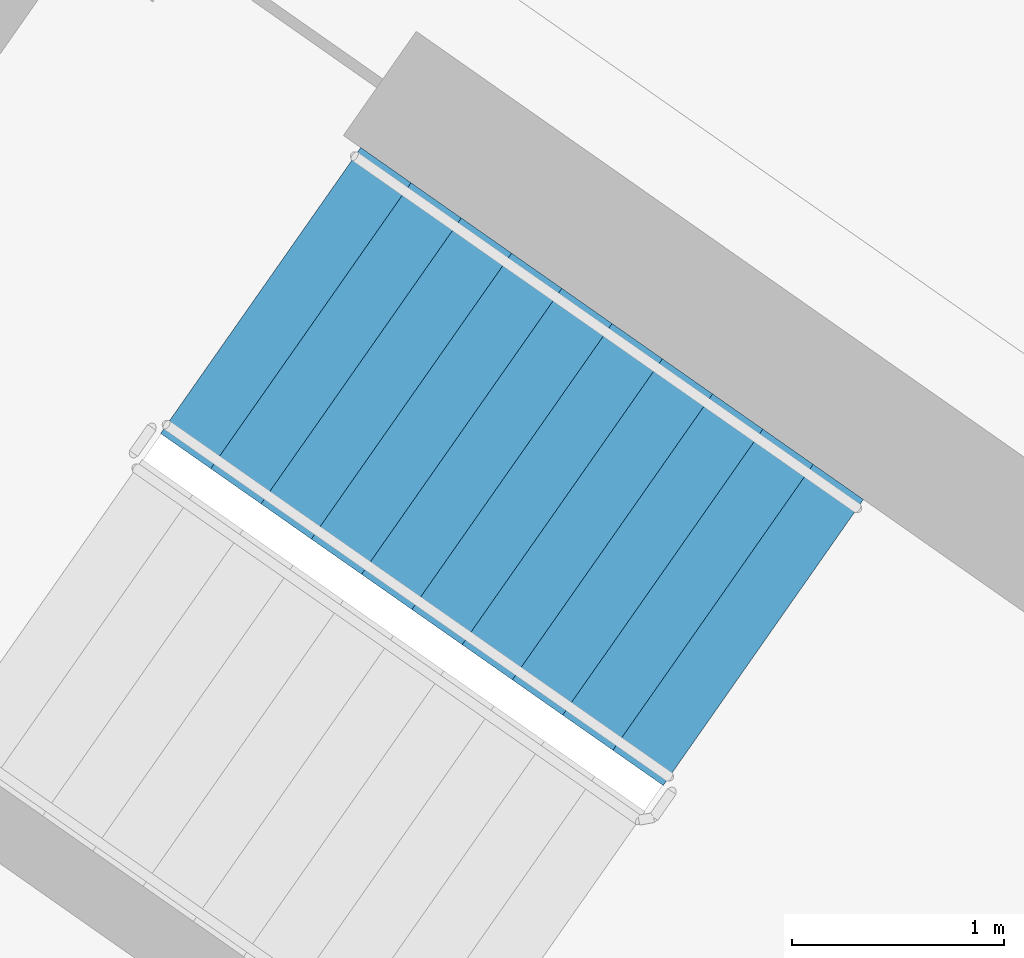
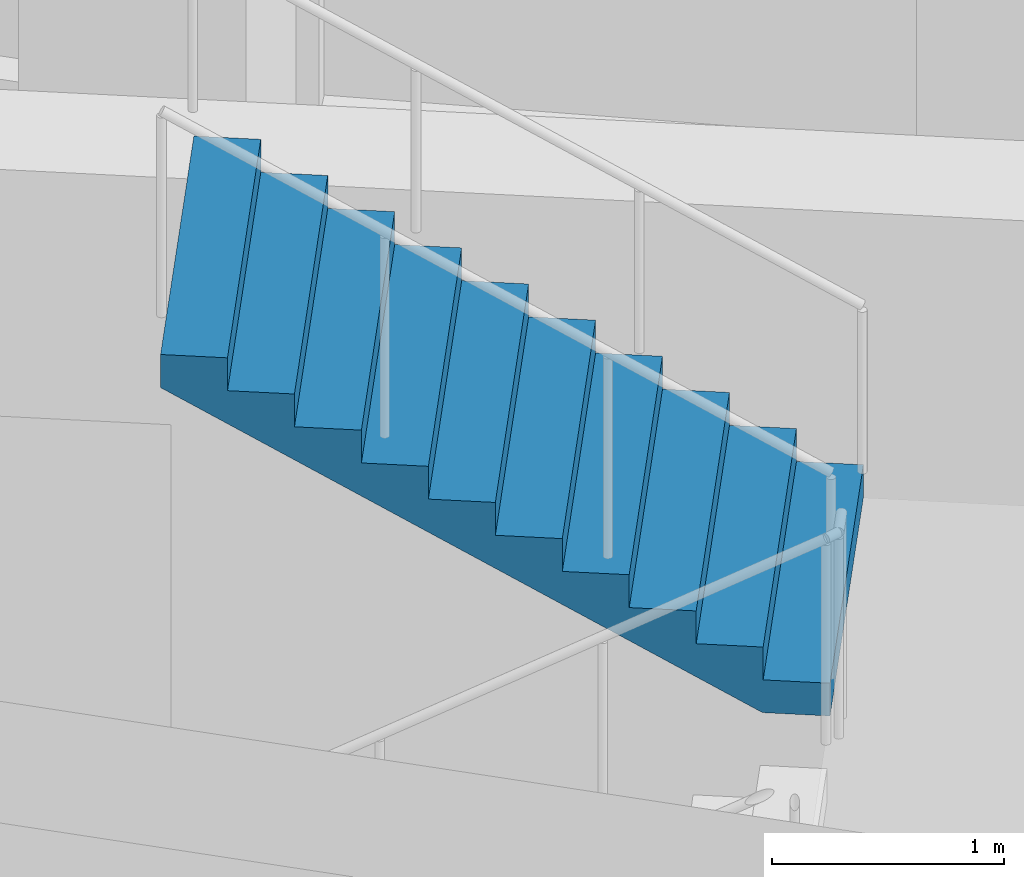
# One storey, part 12 of 28: 1 stair flight, 1 element without a shape of its own.
"""IFC4 building model written with IfcOpenShell, lengths in metres."""

from ifc_helpers import new_model, si_unit, direction, frame, origin, place, context, subcontext, project, spatial, faceted_brep, material, type_object, element, aggregate, save


model = new_model("IFC4")

# Units and contexts
model_context = context("Model", 3, precision=1e-05, world=origin(), true_north=direction((0.0, 1.0)))
body_context = subcontext(model_context, "Body", "Model", "MODEL_VIEW")
ifc_project = project(units=[si_unit("LENGTHUNIT", "METRE"), si_unit("AREAUNIT", "SQUARE_METRE"), si_unit("VOLUMEUNIT", "CUBIC_METRE"), si_unit("PLANEANGLEUNIT", "RADIAN"), si_unit("MASSUNIT", "GRAM", prefix="KILO")], contexts=[model_context])

# Site, building, storey
site_placement = place(None, origin())
site = spatial("IfcSite", under=ifc_project, at=site_placement, CompositionType="ELEMENT")
building_placement = place(site_placement, origin())
building = spatial("IfcBuilding", under=site, at=building_placement, Name="Qamariyya Broadcast Tower", CompositionType="ELEMENT")
storey_placement = place(building_placement, frame((0.0, 0.0, 249.300048828125)))
storey = spatial("IfcBuildingStorey", under=building, at=storey_placement, Name="L60", CompositionType="ELEMENT", Elevation=249.300048828125)

# Stair, stair flight
ifc_material = material(Name="Concrete C50/60", Category="concrete")
stair_type = type_object("IfcStairType", Name="Exit stair 22 risers of 173 mm", PredefinedType="HALF_TURN_STAIR", material=ifc_material)
stair_placement = place(storey_placement, origin())
stair = element("IfcStair", 1, at=stair_placement, inside=storey, type_object=stair_type, Name="L60 Stair W2", PredefinedType="HALF_TURN_STAIR")
stair_flight_type = type_object("IfcStairFlightType", Name="Exit stair flight 11 risers of 173 mm", PredefinedType="STRAIGHT", material=ifc_material)
stair_flight_placement = place(storey_placement, frame((-38.18310546875, -49.3486328125, 1.89990234375), z_axis=(0.0, 0.0, 1.0), x_axis=(-0.819152044289, 0.573576436351, 0.0)))
stair_flight = element("IfcStairFlight", 2, at=stair_flight_placement, type_object=stair_flight_type, Name="ST-W2 flight 2", NumberOfRisers=11, NumberOfTreads=10, PredefinedType="STRAIGHT", RiserHeight=0.172727273, TreadLength=0.29, context=body_context, shape_type="Brep", body=[
    faceted_brep([(0.0, 0.824951171875, 0.0), (0.0, 0.824951171875, 0.172607421875), (0.2900390625, 0.824951171875, 0.172607421875), (0.2900390625, 0.824951171875, 0.345458984375), (0.580078125, 0.824951171875, 0.345458984375), (0.580078125, 0.824951171875, 0.51806640625), (0.8701171875, 0.824951171875, 0.51806640625), (0.8701171875, 0.824951171875, 0.69091796875), (1.159912109375, 0.824951171875, 0.69091796875), (1.159912109375, 0.824951171875, 0.863525390625), (1.449951171875, 0.824951171875, 0.863525390625), (1.449951171875, 0.824951171875, 1.036376953125), (1.739990234375, 0.824951171875, 1.036376953125), (1.739990234375, 0.824951171875, 1.208984375), (2.030029296875, 0.824951171875, 1.208984375), (2.030029296875, 0.824951171875, 1.3818359375), (2.320068359375, 0.824951171875, 1.3818359375), (2.320068359375, 0.824951171875, 1.554443359375), (2.610107421875, 0.824951171875, 1.554443359375), (2.610107421875, 0.824951171875, 1.727294921875), (2.89990234375, 0.824951171875, 1.727294921875), (2.89990234375, 0.824951171875, 1.552734375), (0.29296875, 0.824951171875, 0.0), (0.29296875, -0.824951171875, 0.0), (2.89990234375, -0.824951171875, 1.552734375), (2.89990234375, -0.824951171875, 1.727294921875), (2.610107421875, -0.824951171875, 1.727294921875), (2.610107421875, -0.824951171875, 1.554443359375), (2.320068359375, -0.824951171875, 1.554443359375), (2.320068359375, -0.824951171875, 1.3818359375), (2.030029296875, -0.824951171875, 1.3818359375), (2.030029296875, -0.824951171875, 1.208984375), (1.739990234375, -0.824951171875, 1.208984375), (1.739990234375, -0.824951171875, 1.036376953125), (1.449951171875, -0.824951171875, 1.036376953125), (1.449951171875, -0.824951171875, 0.863525390625), (1.159912109375, -0.824951171875, 0.863525390625), (1.159912109375, -0.824951171875, 0.69091796875), (0.8701171875, -0.824951171875, 0.69091796875), (0.8701171875, -0.824951171875, 0.51806640625), (0.580078125, -0.824951171875, 0.51806640625), (0.580078125, -0.824951171875, 0.345458984375), (0.2900390625, -0.824951171875, 0.345458984375), (0.2900390625, -0.824951171875, 0.172607421875), (0.0, -0.824951171875, 0.172607421875), (0.0, -0.824951171875, 0.0), (0.0, 0.10009765625, 0.0), (0.0, 0.086669921875, 0.0), (0.0, 0.0732421875, 0.0), (0.0, 0.06005859375, 0.0), (0.0, 0.046630859375, 0.0), (0.0, 0.033447265625, 0.0), (0.0, 0.02001953125, 0.0), (0.0, 0.006591796875, 0.0), (0.0, -0.006591796875, 0.0), (0.0, -0.02001953125, 0.0), (0.0, -0.033447265625, 0.0), (0.0, -0.046630859375, 0.0), (0.0, -0.06005859375, 0.0), (0.0, -0.0732421875, 0.0), (0.0, -0.086669921875, 0.0), (0.0, -0.10009765625, 0.0), (0.0, -0.10009765625, 0.172607421875), (0.0, -0.086669921875, 0.172607421875), (0.0, -0.0732421875, 0.172607421875), (0.0, -0.06005859375, 0.172607421875), (0.0, -0.046630859375, 0.172607421875), (0.0, -0.033447265625, 0.172607421875), (0.0, -0.02001953125, 0.172607421875), (0.0, -0.006591796875, 0.172607421875), (0.0, 0.006591796875, 0.172607421875), (0.0, 0.02001953125, 0.172607421875), (0.0, 0.033447265625, 0.172607421875), (0.0, 0.046630859375, 0.172607421875), (0.0, 0.06005859375, 0.172607421875), (0.0, 0.0732421875, 0.172607421875), (0.0, 0.086669921875, 0.172607421875), (0.0, 0.10009765625, 0.172607421875), (0.2900390625, -0.10009765625, 0.172607421875), (0.2900390625, -0.086669921875, 0.172607421875), (0.2900390625, -0.0732421875, 0.172607421875), (0.2900390625, -0.06005859375, 0.172607421875), (0.2900390625, -0.046630859375, 0.172607421875), (0.2900390625, -0.033447265625, 0.172607421875), (0.2900390625, -0.02001953125, 0.172607421875), (0.2900390625, -0.006591796875, 0.172607421875), (0.2900390625, 0.006591796875, 0.172607421875), (0.2900390625, 0.02001953125, 0.172607421875), (0.2900390625, 0.033447265625, 0.172607421875), (0.2900390625, 0.046630859375, 0.172607421875), (0.2900390625, 0.06005859375, 0.172607421875), (0.2900390625, 0.0732421875, 0.172607421875), (0.2900390625, 0.086669921875, 0.172607421875), (0.2900390625, 0.10009765625, 0.172607421875), (0.2900390625, -0.10009765625, 0.345458984375), (0.2900390625, -0.086669921875, 0.345458984375), (0.2900390625, -0.0732421875, 0.345458984375), (0.2900390625, -0.06005859375, 0.345458984375), (0.2900390625, -0.046630859375, 0.345458984375), (0.2900390625, -0.033447265625, 0.345458984375), (0.2900390625, -0.02001953125, 0.345458984375), (0.2900390625, -0.006591796875, 0.345458984375), (0.2900390625, 0.006591796875, 0.345458984375), (0.2900390625, 0.02001953125, 0.345458984375), (0.2900390625, 0.033447265625, 0.345458984375), (0.2900390625, 0.046630859375, 0.345458984375), (0.2900390625, 0.06005859375, 0.345458984375), (0.2900390625, 0.0732421875, 0.345458984375), (0.2900390625, 0.086669921875, 0.345458984375), (0.2900390625, 0.10009765625, 0.345458984375), (0.580078125, -0.10009765625, 0.345458984375), (0.580078125, -0.086669921875, 0.345458984375), (0.580078125, -0.0732421875, 0.345458984375), (0.580078125, -0.06005859375, 0.345458984375), (0.580078125, -0.046630859375, 0.345458984375), (0.580078125, -0.033447265625, 0.345458984375), (0.580078125, -0.02001953125, 0.345458984375), (0.580078125, -0.006591796875, 0.345458984375), (0.580078125, 0.006591796875, 0.345458984375), (0.580078125, 0.02001953125, 0.345458984375), (0.580078125, 0.033447265625, 0.345458984375), (0.580078125, 0.046630859375, 0.345458984375), (0.580078125, 0.06005859375, 0.345458984375), (0.580078125, 0.0732421875, 0.345458984375), (0.580078125, 0.086669921875, 0.345458984375), (0.580078125, 0.10009765625, 0.345458984375), (0.580078125, -0.10009765625, 0.51806640625), (0.580078125, -0.086669921875, 0.51806640625), (0.580078125, -0.0732421875, 0.51806640625), (0.580078125, -0.06005859375, 0.51806640625), (0.580078125, -0.046630859375, 0.51806640625), (0.580078125, -0.033447265625, 0.51806640625), (0.580078125, -0.02001953125, 0.51806640625), (0.580078125, -0.006591796875, 0.51806640625), (0.580078125, 0.006591796875, 0.51806640625), (0.580078125, 0.02001953125, 0.51806640625), (0.580078125, 0.033447265625, 0.51806640625), (0.580078125, 0.046630859375, 0.51806640625), (0.580078125, 0.06005859375, 0.51806640625), (0.580078125, 0.0732421875, 0.51806640625), (0.580078125, 0.086669921875, 0.51806640625), (0.580078125, 0.10009765625, 0.51806640625), (0.8701171875, -0.10009765625, 0.51806640625), (0.8701171875, -0.086669921875, 0.51806640625), (0.8701171875, -0.0732421875, 0.51806640625), (0.8701171875, -0.06005859375, 0.51806640625), (0.8701171875, -0.046630859375, 0.51806640625), (0.8701171875, -0.033447265625, 0.51806640625), (0.8701171875, -0.02001953125, 0.51806640625), (0.8701171875, -0.006591796875, 0.51806640625), (0.8701171875, 0.006591796875, 0.51806640625), (0.8701171875, 0.02001953125, 0.51806640625), (0.8701171875, 0.033447265625, 0.51806640625), (0.8701171875, 0.046630859375, 0.51806640625), (0.8701171875, 0.06005859375, 0.51806640625), (0.8701171875, 0.0732421875, 0.51806640625), (0.8701171875, 0.086669921875, 0.51806640625), (0.8701171875, 0.10009765625, 0.51806640625), (0.8701171875, -0.10009765625, 0.69091796875), (0.8701171875, -0.086669921875, 0.69091796875), (0.8701171875, -0.0732421875, 0.69091796875), (0.8701171875, -0.06005859375, 0.69091796875), (0.8701171875, -0.046630859375, 0.69091796875), (0.8701171875, -0.033447265625, 0.69091796875), (0.8701171875, -0.02001953125, 0.69091796875), (0.8701171875, -0.006591796875, 0.69091796875), (0.8701171875, 0.006591796875, 0.69091796875), (0.8701171875, 0.02001953125, 0.69091796875), (0.8701171875, 0.033447265625, 0.69091796875), (0.8701171875, 0.046630859375, 0.69091796875), (0.8701171875, 0.06005859375, 0.69091796875), (0.8701171875, 0.0732421875, 0.69091796875), (0.8701171875, 0.086669921875, 0.69091796875), (0.8701171875, 0.10009765625, 0.69091796875), (1.159912109375, -0.10009765625, 0.69091796875), (1.159912109375, -0.086669921875, 0.69091796875), (1.159912109375, -0.0732421875, 0.69091796875), (1.159912109375, -0.06005859375, 0.69091796875), (1.159912109375, -0.046630859375, 0.69091796875), (1.159912109375, -0.033447265625, 0.69091796875), (1.159912109375, -0.02001953125, 0.69091796875), (1.159912109375, -0.006591796875, 0.69091796875), (1.159912109375, 0.006591796875, 0.69091796875), (1.159912109375, 0.02001953125, 0.69091796875), (1.159912109375, 0.033447265625, 0.69091796875), (1.159912109375, 0.046630859375, 0.69091796875), (1.159912109375, 0.06005859375, 0.69091796875), (1.159912109375, 0.0732421875, 0.69091796875), (1.159912109375, 0.086669921875, 0.69091796875), (1.159912109375, 0.10009765625, 0.69091796875), (1.159912109375, -0.10009765625, 0.863525390625), (1.159912109375, -0.086669921875, 0.863525390625), (1.159912109375, -0.0732421875, 0.863525390625), (1.159912109375, -0.06005859375, 0.863525390625), (1.159912109375, -0.046630859375, 0.863525390625), (1.159912109375, -0.033447265625, 0.863525390625), (1.159912109375, -0.02001953125, 0.863525390625), (1.159912109375, -0.006591796875, 0.863525390625), (1.159912109375, 0.006591796875, 0.863525390625), (1.159912109375, 0.02001953125, 0.863525390625), (1.159912109375, 0.033447265625, 0.863525390625), (1.159912109375, 0.046630859375, 0.863525390625), (1.159912109375, 0.06005859375, 0.863525390625), (1.159912109375, 0.0732421875, 0.863525390625), (1.159912109375, 0.086669921875, 0.863525390625), (1.159912109375, 0.10009765625, 0.863525390625), (1.449951171875, -0.10009765625, 0.863525390625), (1.449951171875, -0.086669921875, 0.863525390625), (1.449951171875, -0.0732421875, 0.863525390625), (1.449951171875, -0.06005859375, 0.863525390625), (1.449951171875, -0.046630859375, 0.863525390625), (1.449951171875, -0.033447265625, 0.863525390625), (1.449951171875, -0.02001953125, 0.863525390625), (1.449951171875, -0.006591796875, 0.863525390625), (1.449951171875, 0.006591796875, 0.863525390625), (1.449951171875, 0.02001953125, 0.863525390625), (1.449951171875, 0.033447265625, 0.863525390625), (1.449951171875, 0.046630859375, 0.863525390625), (1.449951171875, 0.06005859375, 0.863525390625), (1.449951171875, 0.0732421875, 0.863525390625), (1.449951171875, 0.086669921875, 0.863525390625), (1.449951171875, 0.10009765625, 0.863525390625), (1.449951171875, -0.10009765625, 1.036376953125), (1.449951171875, -0.086669921875, 1.036376953125), (1.449951171875, -0.0732421875, 1.036376953125), (1.449951171875, -0.06005859375, 1.036376953125), (1.449951171875, -0.046630859375, 1.036376953125), (1.449951171875, -0.033447265625, 1.036376953125), (1.449951171875, -0.02001953125, 1.036376953125), (1.449951171875, -0.006591796875, 1.036376953125), (1.449951171875, 0.006591796875, 1.036376953125), (1.449951171875, 0.02001953125, 1.036376953125), (1.449951171875, 0.033447265625, 1.036376953125), (1.449951171875, 0.046630859375, 1.036376953125), (1.449951171875, 0.06005859375, 1.036376953125), (1.449951171875, 0.0732421875, 1.036376953125), (1.449951171875, 0.086669921875, 1.036376953125), (1.449951171875, 0.10009765625, 1.036376953125), (1.739990234375, -0.10009765625, 1.036376953125), (1.739990234375, -0.086669921875, 1.036376953125), (1.739990234375, -0.0732421875, 1.036376953125), (1.739990234375, -0.06005859375, 1.036376953125), (1.739990234375, -0.046630859375, 1.036376953125), (1.739990234375, -0.033447265625, 1.036376953125), (1.739990234375, -0.02001953125, 1.036376953125), (1.739990234375, -0.006591796875, 1.036376953125), (1.739990234375, 0.006591796875, 1.036376953125), (1.739990234375, 0.02001953125, 1.036376953125), (1.739990234375, 0.033447265625, 1.036376953125), (1.739990234375, 0.046630859375, 1.036376953125), (1.739990234375, 0.06005859375, 1.036376953125), (1.739990234375, 0.0732421875, 1.036376953125), (1.739990234375, 0.086669921875, 1.036376953125), (1.739990234375, 0.10009765625, 1.036376953125), (1.739990234375, -0.10009765625, 1.208984375), (1.739990234375, -0.086669921875, 1.208984375), (1.739990234375, -0.0732421875, 1.208984375), (1.739990234375, -0.06005859375, 1.208984375), (1.739990234375, -0.046630859375, 1.208984375), (1.739990234375, -0.033447265625, 1.208984375), (1.739990234375, -0.02001953125, 1.208984375), (1.739990234375, -0.006591796875, 1.208984375), (1.739990234375, 0.006591796875, 1.208984375), (1.739990234375, 0.02001953125, 1.208984375), (1.739990234375, 0.033447265625, 1.208984375), (1.739990234375, 0.046630859375, 1.208984375), (1.739990234375, 0.06005859375, 1.208984375), (1.739990234375, 0.0732421875, 1.208984375), (1.739990234375, 0.086669921875, 1.208984375), (1.739990234375, 0.10009765625, 1.208984375), (2.030029296875, -0.10009765625, 1.208984375), (2.030029296875, -0.086669921875, 1.208984375), (2.030029296875, -0.0732421875, 1.208984375), (2.030029296875, -0.06005859375, 1.208984375), (2.030029296875, -0.046630859375, 1.208984375), (2.030029296875, -0.033447265625, 1.208984375), (2.030029296875, -0.02001953125, 1.208984375), (2.030029296875, -0.006591796875, 1.208984375), (2.030029296875, 0.006591796875, 1.208984375), (2.030029296875, 0.02001953125, 1.208984375), (2.030029296875, 0.033447265625, 1.208984375), (2.030029296875, 0.046630859375, 1.208984375), (2.030029296875, 0.06005859375, 1.208984375), (2.030029296875, 0.0732421875, 1.208984375), (2.030029296875, 0.086669921875, 1.208984375), (2.030029296875, 0.10009765625, 1.208984375), (2.030029296875, -0.10009765625, 1.3818359375), (2.030029296875, -0.086669921875, 1.3818359375), (2.030029296875, -0.0732421875, 1.3818359375), (2.030029296875, -0.06005859375, 1.3818359375), (2.030029296875, -0.046630859375, 1.3818359375), (2.030029296875, -0.033447265625, 1.3818359375), (2.030029296875, -0.02001953125, 1.3818359375), (2.030029296875, -0.006591796875, 1.3818359375), (2.030029296875, 0.006591796875, 1.3818359375), (2.030029296875, 0.02001953125, 1.3818359375), (2.030029296875, 0.033447265625, 1.3818359375), (2.030029296875, 0.046630859375, 1.3818359375), (2.030029296875, 0.06005859375, 1.3818359375), (2.030029296875, 0.0732421875, 1.3818359375), (2.030029296875, 0.086669921875, 1.3818359375), (2.030029296875, 0.10009765625, 1.3818359375), (2.320068359375, -0.10009765625, 1.3818359375), (2.320068359375, -0.086669921875, 1.3818359375), (2.320068359375, -0.0732421875, 1.3818359375), (2.320068359375, -0.06005859375, 1.3818359375), (2.320068359375, -0.046630859375, 1.3818359375), (2.320068359375, -0.033447265625, 1.3818359375), (2.320068359375, -0.02001953125, 1.3818359375), (2.320068359375, -0.006591796875, 1.3818359375), (2.320068359375, 0.006591796875, 1.3818359375), (2.320068359375, 0.02001953125, 1.3818359375), (2.320068359375, 0.033447265625, 1.3818359375), (2.320068359375, 0.046630859375, 1.3818359375), (2.320068359375, 0.06005859375, 1.3818359375), (2.320068359375, 0.0732421875, 1.3818359375), (2.320068359375, 0.086669921875, 1.3818359375), (2.320068359375, 0.10009765625, 1.3818359375), (2.320068359375, -0.10009765625, 1.554443359375), (2.320068359375, -0.086669921875, 1.554443359375), (2.320068359375, -0.0732421875, 1.554443359375), (2.320068359375, -0.06005859375, 1.554443359375), (2.320068359375, -0.046630859375, 1.554443359375), (2.320068359375, -0.033447265625, 1.554443359375), (2.320068359375, -0.02001953125, 1.554443359375), (2.320068359375, -0.006591796875, 1.554443359375), (2.320068359375, 0.006591796875, 1.554443359375), (2.320068359375, 0.02001953125, 1.554443359375), (2.320068359375, 0.033447265625, 1.554443359375), (2.320068359375, 0.046630859375, 1.554443359375), (2.320068359375, 0.06005859375, 1.554443359375), (2.320068359375, 0.0732421875, 1.554443359375), (2.320068359375, 0.086669921875, 1.554443359375), (2.320068359375, 0.10009765625, 1.554443359375), (2.610107421875, -0.10009765625, 1.554443359375), (2.610107421875, -0.086669921875, 1.554443359375), (2.610107421875, -0.0732421875, 1.554443359375), (2.610107421875, -0.06005859375, 1.554443359375), (2.610107421875, -0.046630859375, 1.554443359375), (2.610107421875, -0.033447265625, 1.554443359375), (2.610107421875, -0.02001953125, 1.554443359375), (2.610107421875, -0.006591796875, 1.554443359375), (2.610107421875, 0.006591796875, 1.554443359375), (2.610107421875, 0.02001953125, 1.554443359375), (2.610107421875, 0.033447265625, 1.554443359375), (2.610107421875, 0.046630859375, 1.554443359375), (2.610107421875, 0.06005859375, 1.554443359375), (2.610107421875, 0.0732421875, 1.554443359375), (2.610107421875, 0.086669921875, 1.554443359375), (2.610107421875, 0.10009765625, 1.554443359375), (2.610107421875, -0.10009765625, 1.727294921875), (2.610107421875, -0.086669921875, 1.727294921875), (2.610107421875, -0.0732421875, 1.727294921875), (2.610107421875, -0.06005859375, 1.727294921875), (2.610107421875, -0.046630859375, 1.727294921875), (2.610107421875, -0.033447265625, 1.727294921875), (2.610107421875, -0.02001953125, 1.727294921875), (2.610107421875, -0.006591796875, 1.727294921875), (2.610107421875, 0.006591796875, 1.727294921875), (2.610107421875, 0.02001953125, 1.727294921875), (2.610107421875, 0.033447265625, 1.727294921875), (2.610107421875, 0.046630859375, 1.727294921875), (2.610107421875, 0.06005859375, 1.727294921875), (2.610107421875, 0.0732421875, 1.727294921875), (2.610107421875, 0.086669921875, 1.727294921875), (2.610107421875, 0.10009765625, 1.727294921875), (2.89990234375, -0.10009765625, 1.727294921875), (2.89990234375, -0.086669921875, 1.727294921875), (2.89990234375, -0.0732421875, 1.727294921875), (2.89990234375, -0.06005859375, 1.727294921875), (2.89990234375, -0.046630859375, 1.727294921875), (2.89990234375, -0.033447265625, 1.727294921875), (2.89990234375, -0.02001953125, 1.727294921875), (2.89990234375, -0.006591796875, 1.727294921875), (2.89990234375, 0.006591796875, 1.727294921875), (2.89990234375, 0.02001953125, 1.727294921875), (2.89990234375, 0.033447265625, 1.727294921875), (2.89990234375, 0.046630859375, 1.727294921875), (2.89990234375, 0.06005859375, 1.727294921875), (2.89990234375, 0.0732421875, 1.727294921875), (2.89990234375, 0.086669921875, 1.727294921875), (2.89990234375, 0.10009765625, 1.727294921875), (2.89990234375, -0.10009765625, 1.552734375), (2.89990234375, -0.086669921875, 1.552734375), (2.89990234375, -0.0732421875, 1.552734375), (2.89990234375, -0.06005859375, 1.552734375), (2.89990234375, -0.046630859375, 1.552734375), (2.89990234375, -0.033447265625, 1.552734375), (2.89990234375, -0.02001953125, 1.552734375), (2.89990234375, -0.006591796875, 1.552734375), (2.89990234375, 0.006591796875, 1.552734375), (2.89990234375, 0.02001953125, 1.552734375), (2.89990234375, 0.033447265625, 1.552734375), (2.89990234375, 0.046630859375, 1.552734375), (2.89990234375, 0.06005859375, 1.552734375), (2.89990234375, 0.0732421875, 1.552734375), (2.89990234375, 0.086669921875, 1.552734375), (2.89990234375, 0.10009765625, 1.552734375), (0.29296875, -0.10009765625, 0.0), (0.29296875, -0.086669921875, 0.0), (0.29296875, -0.0732421875, 0.0), (0.29296875, -0.06005859375, 0.0), (0.29296875, -0.046630859375, 0.0), (0.29296875, -0.033447265625, 0.0), (0.29296875, -0.02001953125, 0.0), (0.29296875, -0.006591796875, 0.0), (0.29296875, 0.006591796875, 0.0), (0.29296875, 0.02001953125, 0.0), (0.29296875, 0.033447265625, 0.0), (0.29296875, 0.046630859375, 0.0), (0.29296875, 0.06005859375, 0.0), (0.29296875, 0.0732421875, 0.0), (0.29296875, 0.086669921875, 0.0), (0.29296875, 0.10009765625, 0.0)], [[[0, 1, 2, 3, 4, 5, 6, 7, 8, 9, 10, 11, 12, 13, 14, 15, 16, 17, 18, 19, 20, 21, 22]], [[23, 24, 25, 26, 27, 28, 29, 30, 31, 32, 33, 34, 35, 36, 37, 38, 39, 40, 41, 42, 43, 44, 45]], [[0, 46, 47, 48, 49, 50, 51, 52, 53, 54, 55, 56, 57, 58, 59, 60, 61, 45, 44, 62, 63, 64, 65, 66, 67, 68, 69, 70, 71, 72, 73, 74, 75, 76, 77, 1]], [[1, 77, 76, 75, 74, 73, 72, 71, 70, 69, 68, 67, 66, 65, 64, 63, 62, 44, 43, 78, 79, 80, 81, 82, 83, 84, 85, 86, 87, 88, 89, 90, 91, 92, 93, 2]], [[2, 93, 92, 91, 90, 89, 88, 87, 86, 85, 84, 83, 82, 81, 80, 79, 78, 43, 42, 94, 95, 96, 97, 98, 99, 100, 101, 102, 103, 104, 105, 106, 107, 108, 109, 3]], [[3, 109, 108, 107, 106, 105, 104, 103, 102, 101, 100, 99, 98, 97, 96, 95, 94, 42, 41, 110, 111, 112, 113, 114, 115, 116, 117, 118, 119, 120, 121, 122, 123, 124, 125, 4]], [[4, 125, 124, 123, 122, 121, 120, 119, 118, 117, 116, 115, 114, 113, 112, 111, 110, 41, 40, 126, 127, 128, 129, 130, 131, 132, 133, 134, 135, 136, 137, 138, 139, 140, 141, 5]], [[5, 141, 140, 139, 138, 137, 136, 135, 134, 133, 132, 131, 130, 129, 128, 127, 126, 40, 39, 142, 143, 144, 145, 146, 147, 148, 149, 150, 151, 152, 153, 154, 155, 156, 157, 6]], [[6, 157, 156, 155, 154, 153, 152, 151, 150, 149, 148, 147, 146, 145, 144, 143, 142, 39, 38, 158, 159, 160, 161, 162, 163, 164, 165, 166, 167, 168, 169, 170, 171, 172, 173, 7]], [[7, 173, 172, 171, 170, 169, 168, 167, 166, 165, 164, 163, 162, 161, 160, 159, 158, 38, 37, 174, 175, 176, 177, 178, 179, 180, 181, 182, 183, 184, 185, 186, 187, 188, 189, 8]], [[8, 189, 188, 187, 186, 185, 184, 183, 182, 181, 180, 179, 178, 177, 176, 175, 174, 37, 36, 190, 191, 192, 193, 194, 195, 196, 197, 198, 199, 200, 201, 202, 203, 204, 205, 9]], [[9, 205, 204, 203, 202, 201, 200, 199, 198, 197, 196, 195, 194, 193, 192, 191, 190, 36, 35, 206, 207, 208, 209, 210, 211, 212, 213, 214, 215, 216, 217, 218, 219, 220, 221, 10]], [[10, 221, 220, 219, 218, 217, 216, 215, 214, 213, 212, 211, 210, 209, 208, 207, 206, 35, 34, 222, 223, 224, 225, 226, 227, 228, 229, 230, 231, 232, 233, 234, 235, 236, 237, 11]], [[11, 237, 236, 235, 234, 233, 232, 231, 230, 229, 228, 227, 226, 225, 224, 223, 222, 34, 33, 238, 239, 240, 241, 242, 243, 244, 245, 246, 247, 248, 249, 250, 251, 252, 253, 12]], [[12, 253, 252, 251, 250, 249, 248, 247, 246, 245, 244, 243, 242, 241, 240, 239, 238, 33, 32, 254, 255, 256, 257, 258, 259, 260, 261, 262, 263, 264, 265, 266, 267, 268, 269, 13]], [[13, 269, 268, 267, 266, 265, 264, 263, 262, 261, 260, 259, 258, 257, 256, 255, 254, 32, 31, 270, 271, 272, 273, 274, 275, 276, 277, 278, 279, 280, 281, 282, 283, 284, 285, 14]], [[14, 285, 284, 283, 282, 281, 280, 279, 278, 277, 276, 275, 274, 273, 272, 271, 270, 31, 30, 286, 287, 288, 289, 290, 291, 292, 293, 294, 295, 296, 297, 298, 299, 300, 301, 15]], [[15, 301, 300, 299, 298, 297, 296, 295, 294, 293, 292, 291, 290, 289, 288, 287, 286, 30, 29, 302, 303, 304, 305, 306, 307, 308, 309, 310, 311, 312, 313, 314, 315, 316, 317, 16]], [[16, 317, 316, 315, 314, 313, 312, 311, 310, 309, 308, 307, 306, 305, 304, 303, 302, 29, 28, 318, 319, 320, 321, 322, 323, 324, 325, 326, 327, 328, 329, 330, 331, 332, 333, 17]], [[17, 333, 332, 331, 330, 329, 328, 327, 326, 325, 324, 323, 322, 321, 320, 319, 318, 28, 27, 334, 335, 336, 337, 338, 339, 340, 341, 342, 343, 344, 345, 346, 347, 348, 349, 18]], [[18, 349, 348, 347, 346, 345, 344, 343, 342, 341, 340, 339, 338, 337, 336, 335, 334, 27, 26, 350, 351, 352, 353, 354, 355, 356, 357, 358, 359, 360, 361, 362, 363, 364, 365, 19]], [[19, 365, 364, 363, 362, 361, 360, 359, 358, 357, 356, 355, 354, 353, 352, 351, 350, 26, 25, 366, 367, 368, 369, 370, 371, 372, 373, 374, 375, 376, 377, 378, 379, 380, 381, 20]], [[20, 381, 380, 379, 378, 377, 376, 375, 374, 373, 372, 371, 370, 369, 368, 367, 366, 25, 24, 382, 383, 384, 385, 386, 387, 388, 389, 390, 391, 392, 393, 394, 395, 396, 397, 21]], [[21, 397, 396, 395, 394, 393, 392, 391, 390, 389, 388, 387, 386, 385, 384, 383, 382, 24, 23, 398, 399, 400, 401, 402, 403, 404, 405, 406, 407, 408, 409, 410, 411, 412, 413, 22]], [[22, 413, 412, 411, 410, 409, 408, 407, 406, 405, 404, 403, 402, 401, 400, 399, 398, 23, 45, 61, 60, 59, 58, 57, 56, 55, 54, 53, 52, 51, 50, 49, 48, 47, 46, 0]]]),
])
aggregate(stair, [stair_flight])

save(model, "model.ifc")
